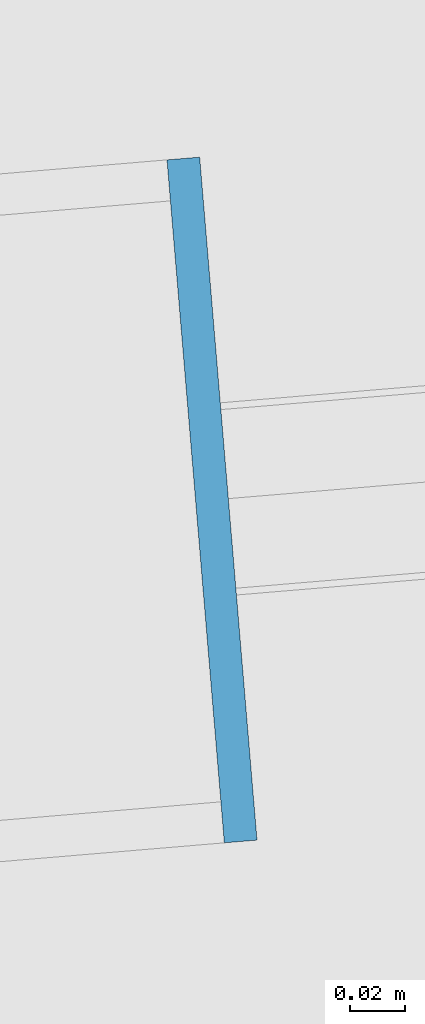
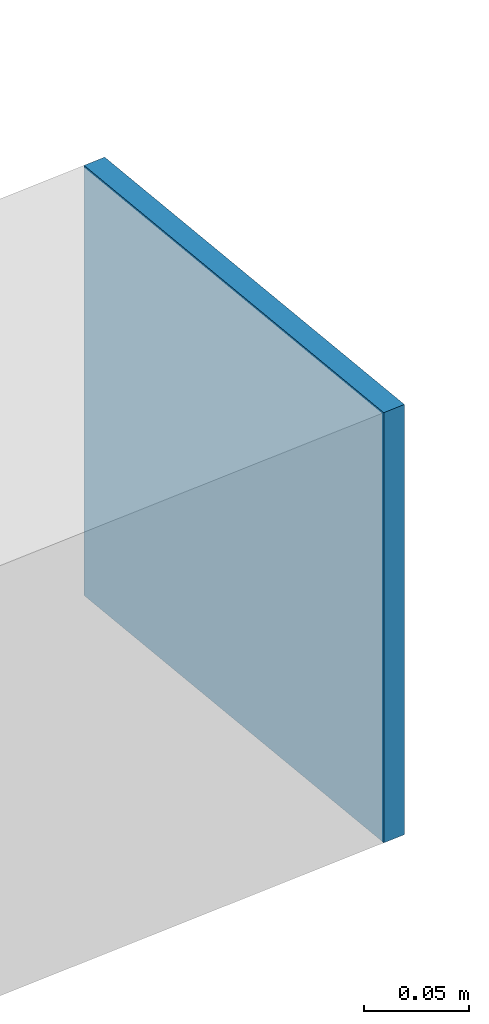
# One storey, part 31 of 39: 1 plate.
"""IFC4 building model written with IfcOpenShell, lengths in metres."""

from ifc_helpers import new_model, si_unit, direction, frame, origin, origin_2d, place, context, subcontext, project, spatial, rectangle, extrude, source, transform, mapped, material, layer, layer_set, type_object, element, save


model = new_model("IFC4")

# Units and contexts
model_context = context("Model", 3, precision=1e-05, world=origin(), true_north=direction((0.0, 1.0)))
body_context = subcontext(model_context, "Body", "Model", "MODEL_VIEW")
ifc_project = project(units=[si_unit("LENGTHUNIT", "METRE"), si_unit("AREAUNIT", "SQUARE_METRE"), si_unit("VOLUMEUNIT", "CUBIC_METRE"), si_unit("PLANEANGLEUNIT", "RADIAN"), si_unit("MASSUNIT", "GRAM", prefix="KILO")], contexts=[model_context])

# Site, building, storey
site_placement = place(None, origin())
site = spatial("IfcSite", under=ifc_project, at=site_placement, CompositionType="ELEMENT")
building_placement = place(site_placement, origin())
building = spatial("IfcBuilding", under=site, at=building_placement, Name="Taldren Reach Tower", CompositionType="ELEMENT")
storey_placement = place(building_placement, frame((0.0, 0.0, 178.85009765625)))
storey = spatial("IfcBuildingStorey", under=building, at=storey_placement, Name="L54", CompositionType="ELEMENT", Elevation=178.85009765625)

# Plate
ifc_material = material(Name="Steel Gr 350 (C350L0)", Category="steel")
ifc_layer = layer(ifc_material, 0.011962890625)
ifc_layer_set = layer_set([ifc_layer], Name="Steel Gr 350 (C350L0)")
plate_type = type_object("IfcPlateType", Name="PL-CAP-250", PredefinedType="SHEET", material=ifc_layer_set)
shared_shape = source(origin(), body_context, "Body", "SweptSolid", [
    extrude(rectangle(XDim=0.011962890625, YDim=0.25, at=origin_2d()), origin(), (0.0, 0.0, 1.0), 0.25),
])
plate_placement = place(storey_placement, frame((62.167724609375, 21.60498046875, 0.094970703125), z_axis=(0.0, 0.0, 1.0), x_axis=(0.99649285925, 0.083677843332, 0.0)))
element("IfcPlate", 1, at=plate_placement, inside=storey, type_object=plate_type, Name="Tie strut end cap plate B4-E2 L54", PredefinedType="SHEET", context=body_context, shape_type="MappedRepresentation", body=[
    mapped(shared_shape, transform((0.0, 0.0, 0.0), scale=1.0)),
])

save(model, "model.ifc")
